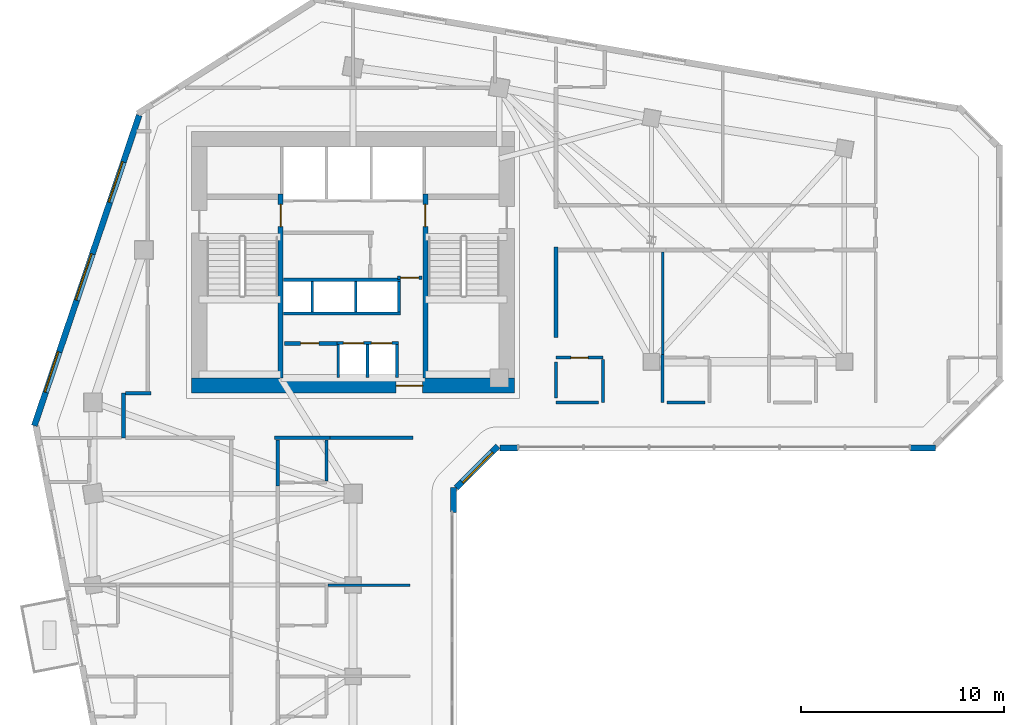
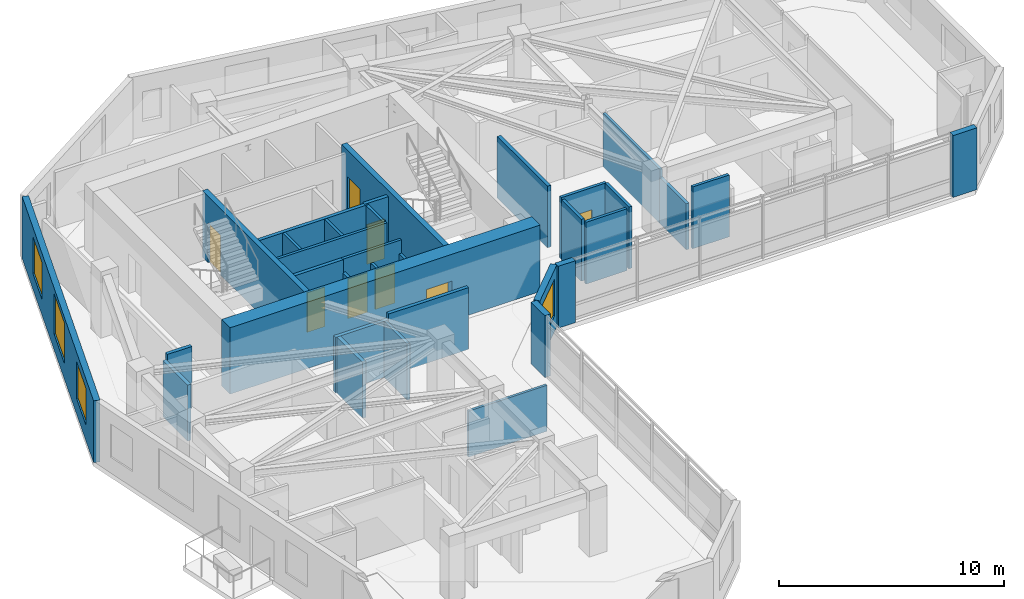
# One storey, part 6 of 12: 34 walls, 8 doors, 4 windows, 12 openings.
"""IFC4 building model written with IfcOpenShell, lengths in metres."""

from ifc_helpers import new_model, si_unit, direction, frame, frame_2d, origin, place, context, subcontext, project, spatial, rectangle, extrude, source, transform, mapped, material, layer, layer_set, type_object, element, fill, save


model = new_model("IFC4")

# Units and contexts
model_context = context("Model", 3, precision=1e-05, world=origin(), true_north=direction((0.0, 1.0)))
body_context = subcontext(model_context, "Body", "Model", "MODEL_VIEW")
ifc_project = project(units=[si_unit("LENGTHUNIT", "METRE"), si_unit("AREAUNIT", "SQUARE_METRE"), si_unit("VOLUMEUNIT", "CUBIC_METRE"), si_unit("PLANEANGLEUNIT", "RADIAN"), si_unit("MASSUNIT", "GRAM", prefix="KILO")], contexts=[model_context])

# Site, building, storey
site_placement = place(None, origin())
site = spatial("IfcSite", under=ifc_project, at=site_placement, CompositionType="ELEMENT")
building_placement = place(site_placement, origin())
building = spatial("IfcBuilding", under=site, at=building_placement, Name="Calvemar Wedge Station Tower", CompositionType="ELEMENT")
storey_placement = place(building_placement, frame((0.0, 0.0, 121.39990234375)))
storey = spatial("IfcBuildingStorey", under=building, at=storey_placement, Name="L29", CompositionType="ELEMENT", Elevation=121.39990234375)

# Wall, opening, door
ifc_material_1 = material(Name="Concrete C50", Category="concrete")
ifc_layer_1 = layer(ifc_material_1, 0.260009765625)
ifc_layer_set_1 = layer_set([ifc_layer_1], Name="Concrete C50")
wall_type_1 = type_object("IfcWallType", Name="SW-CORE-260", PredefinedType="SHEAR", material=ifc_layer_set_1)
wall_1_placement = place(storey_placement, frame((20.22998046875, 34.199951171875, 0.0), z_axis=(0.0, 0.0, 1.0), x_axis=(0.0, 1.0, 0.0)))
wall_1 = element("IfcWall", 1, at=wall_1_placement, inside=storey, type_object=wall_type_1, Name="Storey L29 Core Shear Wall SPINE-W", PredefinedType="SHEAR", context=body_context, shape_type="SweptSolid", body=[
    extrude(rectangle(XDim=9.06005859375, YDim=0.260009765625, at=frame_2d((4.530029296875, 0.0))), origin(), (0.0, 0.0, 1.0), 3.60009765625),
])
shared_shape_1 = source(origin(), body_context, "Body", "SweptSolid", [
    extrude(rectangle(XDim=1.10009765625, YDim=2.14990234375, at=frame_2d((0.550048828125, 1.074951171875))), frame((0.0, 0.14013671875, 0.0), z_axis=(0.0, -1.0, 0.0), x_axis=(1.0, 0.0, 0.0)), (0.0, 0.0, 1.0), 0.280029296875),
])
opening_1_placement = place(wall_1_placement, frame((7.449951171875, 0.0, 0.0)))
opening_1 = element("IfcOpeningElement", 2, at=opening_1_placement, cuts=wall_1, Name="Opening FD-90", PredefinedType="OPENING", context=body_context, shape_type="MappedRepresentation", body=[
    mapped(shared_shape_1, transform((0.0, 0.0, 0.0), scale=1.0)),
])
ifc_material_2 = material(Name="Galvanized fire-rated steel door leaf P-90", Category="steel")
door_type_1 = type_object("IfcDoorType", Name="DR-FD90-1100", OperationType="NOTDEFINED", PredefinedType="DOOR", material=ifc_material_2)
shared_shape_2 = source(origin(), body_context, "Body", "SweptSolid", [
    extrude(rectangle(XDim=1.10009765625, YDim=2.14990234375, at=frame_2d((0.550048828125, 1.074951171875))), frame((0.0, 0.02490234375, 0.0), z_axis=(0.0, -1.0, 0.0), x_axis=(1.0, 0.0, 0.0)), (0.0, 0.0, 1.0), 0.050048828125),
])
door_1_placement = place(opening_1_placement, origin())
door_1 = element("IfcDoor", 3, at=door_1_placement, inside=storey, type_object=door_type_1, Name="L29 FF Lobby to Stair ST-C1 Door", OperationType="SINGLE_SWING_LEFT", OverallHeight=2.14990234375, OverallWidth=1.10009765625, PredefinedType="DOOR", context=body_context, shape_type="MappedRepresentation", body=[
    mapped(shared_shape_2, transform((0.0, 0.0, 0.0), scale=1.0)),
])
fill(opening_1, door_1)

wall_2_placement = place(storey_placement, frame((27.3701171875, 34.199951171875, 0.0), z_axis=(0.0, 0.0, 1.0), x_axis=(0.0, 1.0, 0.0)))
wall_2 = element("IfcWall", 4, at=wall_2_placement, inside=storey, type_object=wall_type_1, Name="Storey L29 Core Shear Wall SPINE-E", PredefinedType="SHEAR", context=body_context, shape_type="SweptSolid", body=[
    extrude(rectangle(XDim=9.06005859375, YDim=0.260009765625, at=frame_2d((4.530029296875, 0.0))), origin(), (0.0, 0.0, 1.0), 3.60009765625),
])
opening_2_placement = place(wall_2_placement, frame((7.449951171875, 0.0, 0.0)))
opening_2 = element("IfcOpeningElement", 5, at=opening_2_placement, cuts=wall_2, Name="Opening FD-90", PredefinedType="OPENING", context=body_context, shape_type="MappedRepresentation", body=[
    mapped(shared_shape_1, transform((0.0, 0.0, 0.0), scale=1.0)),
])
door_2_placement = place(opening_2_placement, origin())
door_2 = element("IfcDoor", 6, at=door_2_placement, inside=storey, type_object=door_type_1, Name="L29 FF Lobby to Stair ST-C2 Door", OperationType="SINGLE_SWING_RIGHT", OverallHeight=2.14990234375, OverallWidth=1.10009765625, PredefinedType="DOOR", context=body_context, shape_type="MappedRepresentation", body=[
    mapped(shared_shape_2, transform((0.0, 0.0, 0.0), scale=1.0)),
])
fill(opening_2, door_2)

ifc_material_3 = material(Name="Concrete C70", Category="concrete")
ifc_layer_2 = layer(ifc_material_3, 0.75)
ifc_layer_set_2 = layer_set([ifc_layer_2], Name="Concrete C70")
wall_type_2 = type_object("IfcWallType", Name="SW-CORE-750", PredefinedType="SHEAR", material=ifc_layer_set_2)
wall_3_placement = place(storey_placement, frame((15.85009765625, 33.824951171875, 0.0), z_axis=(0.0, 0.0, 1.0), x_axis=(1.0, 0.0, 0.0)))
wall_3 = element("IfcWall", 7, at=wall_3_placement, inside=storey, type_object=wall_type_2, Name="Storey L29 Core Shear Wall S", PredefinedType="SHEAR", context=body_context, shape_type="SweptSolid", body=[
    extrude(rectangle(XDim=15.89990234375, YDim=0.75, at=frame_2d((7.949951171875, 0.0))), origin(), (0.0, 0.0, 1.0), 3.60009765625),
])
shared_shape_3 = source(origin(), body_context, "Body", "SweptSolid", [
    extrude(rectangle(XDim=1.300048828125, YDim=2.14990234375, at=frame_2d((0.64990234375, 1.074951171875))), frame((0.0, 0.385009765625, 0.0), z_axis=(0.0, -1.0, 0.0), x_axis=(1.0, 0.0, 0.0)), (0.0, 0.0, 1.0), 0.77001953125),
])
opening_3_placement = place(wall_3_placement, frame((10.080078125, 0.0, 0.0)))
opening_3 = element("IfcOpeningElement", 8, at=opening_3_placement, cuts=wall_3, Name="Opening DD-130", PredefinedType="OPENING", context=body_context, shape_type="MappedRepresentation", body=[
    mapped(shared_shape_3, transform((0.0, 0.0, 0.0), scale=1.0)),
])
ifc_material_4 = material(Name="Double-leaf lift lobby fire door EI 60")
door_type_2 = type_object("IfcDoorType", Name="DR-DBL-1300", OperationType="DOUBLE_DOOR_SINGLE_SWING", PredefinedType="DOOR", material=ifc_material_4)
shared_shape_4 = source(origin(), body_context, "Body", "SweptSolid", [
    extrude(rectangle(XDim=1.300048828125, YDim=2.14990234375, at=frame_2d((0.64990234375, 1.074951171875))), frame((0.0, 0.02490234375, 0.0), z_axis=(0.0, -1.0, 0.0), x_axis=(1.0, 0.0, 0.0)), (0.0, 0.0, 1.0), 0.050048828125),
])
door_3_placement = place(opening_3_placement, origin())
door_3 = element("IfcDoor", 9, at=door_3_placement, inside=storey, type_object=door_type_2, Name="L29 Passenger Lift Lobby Door", OperationType="DOUBLE_DOOR_SINGLE_SWING", OverallHeight=2.14990234375, OverallWidth=1.300048828125, PredefinedType="DOOR", context=body_context, shape_type="MappedRepresentation", body=[
    mapped(shared_shape_4, transform((0.0, 0.0, 0.0), scale=1.0)),
])
fill(opening_3, door_3)

ifc_material_5 = material(Name="Double-stud fire-rated corridor partition")
ifc_layer_3 = layer(ifc_material_5, 0.179931640625)
ifc_layer_set_3 = layer_set([ifc_layer_3], Name="Double-stud fire-rated corridor partition")
wall_type_3 = type_object("IfcWallType", Name="W-CORR-180", PredefinedType="PARTITIONING", material=ifc_layer_set_3)
wall_4_placement = place(storey_placement, frame((27.199951171875, 39.1298828125, 0.0), z_axis=(0.0, 0.0, 1.0), x_axis=(-1.0, 0.0, 0.0)))
wall_4 = element("IfcWall", 10, at=wall_4_placement, inside=storey, type_object=wall_type_3, Name="Storey L29 Interior Partition WL-L29-003", PredefinedType="PARTITIONING", context=body_context, shape_type="SweptSolid", body=[
    extrude(rectangle(XDim=1.2099609375, YDim=0.179931640625, at=frame_2d((0.60498046875, 0.0))), origin(), (0.0, 0.0, 1.0), 3.35009765625),
])
shared_shape_5 = source(origin(), body_context, "Body", "SweptSolid", [
    extrude(rectangle(XDim=0.89990234375, YDim=2.14990234375, at=frame_2d((0.449951171875, 1.074951171875))), frame((0.0, 0.10009765625, 0.0), z_axis=(0.0, -1.0, 0.0), x_axis=(1.0, 0.0, 0.0)), (0.0, 0.0, 1.0), 0.199951171875),
])
opening_4_placement = place(wall_4_placement, frame((0.155029296875, 0.0, 0.0)))
opening_4 = element("IfcOpeningElement", 11, at=opening_4_placement, cuts=wall_4, Name="Opening FD-60", PredefinedType="OPENING", context=body_context, shape_type="MappedRepresentation", body=[
    mapped(shared_shape_5, transform((0.0, 0.0, 0.0), scale=1.0)),
])
ifc_material_6 = material(Name="Fire-rated acoustic timber-core entrance door EI 60", Category="wood")
door_type_3 = type_object("IfcDoorType", Name="DR-FD60-900", OperationType="NOTDEFINED", PredefinedType="DOOR", material=ifc_material_6)
shared_shape_6 = source(origin(), body_context, "Body", "SweptSolid", [
    extrude(rectangle(XDim=0.89990234375, YDim=2.14990234375, at=frame_2d((0.449951171875, 1.074951171875))), frame((0.0, 0.02490234375, 0.0), z_axis=(0.0, -1.0, 0.0), x_axis=(1.0, 0.0, 0.0)), (0.0, 0.0, 1.0), 0.050048828125),
])
door_4_placement = place(opening_4_placement, origin())
door_4 = element("IfcDoor", 12, at=door_4_placement, inside=storey, type_object=door_type_3, Name="L29 Core Service Lobby Door", OperationType="SINGLE_SWING_RIGHT", OverallHeight=2.14990234375, OverallWidth=0.89990234375, PredefinedType="DOOR", context=body_context, shape_type="MappedRepresentation", body=[
    mapped(shared_shape_6, transform((0.0, 0.0, 0.0), scale=1.0)),
])
fill(opening_4, door_4)

wall_5_placement = place(storey_placement, frame((20.419921875, 35.89990234375, 0.0), z_axis=(0.0, 0.0, 1.0), x_axis=(1.0, 0.0, 0.0)))
wall_5 = element("IfcWall", 13, at=wall_5_placement, inside=storey, type_object=wall_type_3, Name="Storey L29 Interior Partition WL-L29-004", PredefinedType="PARTITIONING", context=body_context, shape_type="SweptSolid", body=[
    extrude(rectangle(XDim=2.6201171875, YDim=0.179931640625, at=frame_2d((1.31005859375, 0.0))), origin(), (0.0, 0.0, 1.0), 3.35009765625),
])
opening_5_placement = place(wall_5_placement, frame((0.795654296875, 0.0, 0.0)))
opening_5 = element("IfcOpeningElement", 14, at=opening_5_placement, cuts=wall_5, Name="Opening FD-60", PredefinedType="OPENING", context=body_context, shape_type="MappedRepresentation", body=[
    mapped(shared_shape_5, transform((0.0, 0.0, 0.0), scale=1.0)),
])
door_5_placement = place(opening_5_placement, origin())
door_5 = element("IfcDoor", 15, at=door_5_placement, inside=storey, type_object=door_type_3, Name="L29 Housekeeping Store Door", OperationType="SINGLE_SWING_LEFT", OverallHeight=2.14990234375, OverallWidth=0.89990234375, PredefinedType="DOOR", context=body_context, shape_type="MappedRepresentation", body=[
    mapped(shared_shape_6, transform((0.0, 0.0, 0.0), scale=1.0)),
])
fill(opening_5, door_5)

# Walls
wall_6_placement = place(storey_placement, frame((12.5, 31.25, 0.0), z_axis=(0.0, 0.0, 1.0), x_axis=(0.0, 1.0, 0.0)))
element("IfcWall", 16, at=wall_6_placement, inside=storey, type_object=wall_type_3, Name="Storey L29 Interior Partition WL-L29-005", PredefinedType="PARTITIONING", context=body_context, shape_type="SweptSolid", body=[
    extrude(rectangle(XDim=2.199951171875, YDim=0.179931640625, at=frame_2d((1.10009765625, 0.0))), origin(), (0.0, 0.0, 1.0), 3.0341796875),
])
wall_7_placement = place(storey_placement, frame((12.593994140625, 33.449951171875, 0.0), z_axis=(0.0, 0.0, 1.0), x_axis=(1.0, 0.0, 0.0)))
element("IfcWall", 17, at=wall_7_placement, inside=storey, type_object=wall_type_3, Name="Storey L29 Interior Partition WL-L29-006", PredefinedType="PARTITIONING", context=body_context, shape_type="SweptSolid", body=[
    extrude(rectangle(XDim=1.26611328125, YDim=0.179931640625, at=frame_2d((0.633056640625, 0.0))), origin(), (0.0, 0.0, 1.0), 3.35009765625),
])
wall_8_placement = place(storey_placement, frame((22.659912109375, 31.25, 0.0), z_axis=(0.0, 0.0, 1.0), x_axis=(-1.0, 0.0, 0.0)))
element("IfcWall", 18, at=wall_8_placement, inside=storey, type_object=wall_type_3, Name="Storey L29 Interior Partition WL-L29-008", PredefinedType="PARTITIONING", context=body_context, shape_type="SweptSolid", body=[
    extrude(rectangle(XDim=2.719970703125, YDim=0.179931640625, at=frame_2d((1.35986328125, 0.0))), origin(), (0.0, 0.0, 1.0), 3.0341796875),
])
wall_9_placement = place(storey_placement, frame((26.760009765625, 31.25, 0.0), z_axis=(0.0, 0.0, 1.0), x_axis=(-1.0, 0.0, 0.0)))
element("IfcWall", 19, at=wall_9_placement, inside=storey, type_object=wall_type_3, Name="Storey L29 Interior Partition WL-L29-009", PredefinedType="PARTITIONING", context=body_context, shape_type="SweptSolid", body=[
    extrude(rectangle(XDim=4.097900390625, YDim=0.179931640625, at=frame_2d((2.048828125, 0.0))), origin(), (0.0, 0.0, 1.0), 3.35009765625),
])
wall_10_placement = place(storey_placement, frame((33.800048828125, 40.659912109375, 0.0), z_axis=(0.0, 0.0, 1.0), x_axis=(0.0, -1.0, 0.0)))
element("IfcWall", 20, at=wall_10_placement, inside=storey, type_object=wall_type_3, Name="Storey L29 Interior Partition WL-L29-015", PredefinedType="PARTITIONING", context=body_context, shape_type="SweptSolid", body=[
    extrude(rectangle(XDim=4.4599609375, YDim=0.179931640625, at=frame_2d((2.22998046875, 0.0))), origin(), (0.0, 0.0, 1.0), 3.35009765625),
])
wall_11_placement = place(storey_placement, frame((20.10009765625, 31.156005859375, 0.0), z_axis=(0.0, 0.0, 1.0), x_axis=(0.0, -1.0, 0.0)))
element("IfcWall", 21, at=wall_11_placement, inside=storey, type_object=wall_type_3, Name="Storey L29 Interior Partition WL-L29-050", PredefinedType="PARTITIONING", context=body_context, shape_type="SweptSolid", body=[
    extrude(rectangle(XDim=2.26611328125, YDim=0.179931640625, at=frame_2d((1.133056640625, 0.0))), origin(), (0.0, 0.0, 1.0), 3.0341796875),
])
ifc_material_7 = material(Name="Precast concrete C45", Category="concrete")
ifc_layer_4 = layer(ifc_material_7, 0.300048828125)
ifc_layer_set_4 = layer_set([ifc_layer_4], Name="Precast concrete C45")
wall_type_4 = type_object("IfcWallType", Name="W-EXT-GFRC-300", PredefinedType="SOLIDWALL", material=ifc_layer_set_4)
wall_12_placement = place(storey_placement, frame((28.74609375, 27.57666015625, 0.0), z_axis=(0.0, 0.0, 1.0), x_axis=(0.0, 1.0, 0.0)))
element("IfcWall", 22, at=wall_12_placement, inside=storey, type_object=wall_type_4, Name="Storey L29 Bronze GFRC Corner Pier 4B", PredefinedType="SOLIDWALL", context=body_context, shape_type="SweptSolid", body=[
    extrude(rectangle(XDim=1.2275390625, YDim=0.300048828125, at=frame_2d((0.61376953125, 0.0))), origin(), (0.0, 0.0, 1.0), 3.35009765625),
])

# Wall, opening, window
wall_13_placement = place(storey_placement, frame((28.884033203125, 28.7919921875, 0.0), z_axis=(0.0, 0.0, 1.0), x_axis=(0.707064797706, 0.707148762175, 0.0)))
wall_13 = element("IfcWall", 23, at=wall_13_placement, inside=storey, type_object=wall_type_4, Name="Storey L29 Bronze GFRC Exterior Wall 5", PredefinedType="SOLIDWALL", context=body_context, shape_type="SweptSolid", body=[
    extrude(rectangle(XDim=2.90771484375, YDim=0.300048828125, at=frame_2d((1.453857421875, 0.0))), origin(), (0.0, 0.0, 1.0), 3.35009765625),
])
shared_shape_7 = source(origin(), body_context, "Body", "SweptSolid", [
    extrude(rectangle(XDim=2.10009765625, YDim=2.0, at=frame_2d((1.050048828125, 1.0))), frame((0.0, 0.16015625, 0.0), z_axis=(0.0, -1.0, 0.0), x_axis=(1.0, 0.0, 0.0)), (0.0, 0.0, 1.0), 0.320068359375),
])
opening_6_placement = place(wall_13_placement, frame((0.404052734375, 0.0, 0.85009765625)))
opening_6 = element("IfcOpeningElement", 24, at=opening_6_placement, cuts=wall_13, Name="Opening W4", PredefinedType="OPENING", context=body_context, shape_type="MappedRepresentation", body=[
    mapped(shared_shape_7, transform((0.0, 0.0, 0.0), scale=1.0)),
])
ifc_material_8 = material(Name="Low-E laminated insulated glass", Category="glass")
window_type_1 = type_object("IfcWindowType", Name="WIN-EXT-4", PartitioningType="SINGLE_PANEL", PredefinedType="WINDOW", material=ifc_material_8)
shared_shape_8 = source(origin(), body_context, "Body", "SweptSolid", [
    extrude(rectangle(XDim=2.10009765625, YDim=2.0, at=frame_2d((1.050048828125, 1.0))), frame((0.0, -0.014892578125, 0.0), z_axis=(0.0, -1.0, 0.0), x_axis=(1.0, 0.0, 0.0)), (0.0, 0.0, 1.0), 0.06005859375),
])
window_1_placement = place(opening_6_placement, origin())
window_1 = element("IfcWindow", 25, at=window_1_placement, inside=storey, type_object=window_type_1, Name="Storey L29 Recessed Window 5.1", OverallHeight=2.0, OverallWidth=2.10009765625, PartitioningType="SINGLE_PANEL", PredefinedType="WINDOW", context=body_context, shape_type="MappedRepresentation", body=[
    mapped(shared_shape_8, transform((0.0, 0.0, 0.0), scale=1.0)),
])
fill(opening_6, window_1)

# Walls
wall_14_placement = place(storey_placement, frame((31.029052734375, 30.741943359375, 0.0), z_axis=(0.0, 0.0, 1.0), x_axis=(1.0, 0.0, 0.0)))
element("IfcWall", 26, at=wall_14_placement, inside=storey, type_object=wall_type_4, Name="Storey L29 Bronze GFRC Corner Pier 6A", PredefinedType="SOLIDWALL", context=body_context, shape_type="SweptSolid", body=[
    extrude(rectangle(XDim=0.88232421875, YDim=0.300048828125, at=frame_2d((0.441162109375, 0.0))), origin(), (0.0, 0.0, 1.0), 3.35009765625),
])
wall_15_placement = place(storey_placement, frame((51.260498046875, 30.741943359375, 0.0), z_axis=(0.0, 0.0, 1.0), x_axis=(1.0, 0.0, 0.0)))
element("IfcWall", 27, at=wall_15_placement, inside=storey, type_object=wall_type_4, Name="Storey L29 Bronze GFRC Corner Pier 6B", PredefinedType="SOLIDWALL", context=body_context, shape_type="SweptSolid", body=[
    extrude(rectangle(XDim=1.227294921875, YDim=0.300048828125, at=frame_2d((0.61376953125, 0.0))), origin(), (0.0, 0.0, 1.0), 3.35009765625),
])

# Wall, openings, windows
wall_16_placement = place(storey_placement, frame((13.2685546875, 47.1337890625, 0.0), z_axis=(0.0, 0.0, 1.0), x_axis=(-0.319929596295, -0.947441319246, 0.0)))
wall_16 = element("IfcWall", 28, at=wall_16_placement, inside=storey, type_object=wall_type_4, Name="Storey L29 Bronze GFRC Exterior Wall 12", PredefinedType="SOLIDWALL", context=body_context, shape_type="SweptSolid", body=[
    extrude(rectangle(XDim=16.13427734375, YDim=0.300048828125, at=frame_2d((8.067138671875, 0.0))), origin(), (0.0, 0.0, 1.0), 3.35009765625),
])
opening_7_placement = place(wall_16_placement, frame((2.426025390625, 0.0, 0.85009765625)))
opening_7 = element("IfcOpeningElement", 29, at=opening_7_placement, cuts=wall_16, Name="Opening W4", PredefinedType="OPENING", context=body_context, shape_type="MappedRepresentation", body=[
    mapped(shared_shape_7, transform((0.0, 0.0, 0.0), scale=1.0)),
])
shared_shape_9 = source(origin(), body_context, "Body", "SweptSolid", [
    extrude(rectangle(XDim=2.39990234375, YDim=2.199951171875, at=frame_2d((1.199951171875, 1.10009765625))), frame((0.0, 0.16015625, 0.0), z_axis=(0.0, -1.0, 0.0), x_axis=(1.0, 0.0, 0.0)), (0.0, 0.0, 1.0), 0.320068359375),
])
opening_8_placement = place(wall_16_placement, frame((7.2109375, 0.0, 0.85009765625)))
opening_8 = element("IfcOpeningElement", 30, at=opening_8_placement, cuts=wall_16, Name="Opening W1", PredefinedType="OPENING", context=body_context, shape_type="MappedRepresentation", body=[
    mapped(shared_shape_9, transform((0.0, 0.0, 0.0), scale=1.0)),
])
opening_9_placement = place(wall_16_placement, frame((12.297119140625, 0.0, 0.85009765625)))
opening_9 = element("IfcOpeningElement", 31, at=opening_9_placement, cuts=wall_16, Name="Opening W4", PredefinedType="OPENING", context=body_context, shape_type="MappedRepresentation", body=[
    mapped(shared_shape_7, transform((0.0, 0.0, 0.0), scale=1.0)),
])
window_2_placement = place(opening_7_placement, origin())
window_2 = element("IfcWindow", 32, at=window_2_placement, inside=storey, type_object=window_type_1, Name="Storey L29 Recessed Window 12.1", OverallHeight=2.0, OverallWidth=2.10009765625, PartitioningType="SINGLE_PANEL", PredefinedType="WINDOW", context=body_context, shape_type="MappedRepresentation", body=[
    mapped(shared_shape_8, transform((0.0, 0.0, 0.0), scale=1.0)),
])
fill(opening_7, window_2)
window_3_placement = place(opening_9_placement, origin())
window_3 = element("IfcWindow", 33, at=window_3_placement, inside=storey, type_object=window_type_1, Name="Storey L29 Recessed Window 12.3", OverallHeight=2.0, OverallWidth=2.10009765625, PartitioningType="SINGLE_PANEL", PredefinedType="WINDOW", context=body_context, shape_type="MappedRepresentation", body=[
    mapped(shared_shape_8, transform((0.0, 0.0, 0.0), scale=1.0)),
])
fill(opening_9, window_3)
window_type_2 = type_object("IfcWindowType", Name="WIN-EXT-1", PartitioningType="SINGLE_PANEL", PredefinedType="WINDOW", material=ifc_material_8)
shared_shape_10 = source(origin(), body_context, "Body", "SweptSolid", [
    extrude(rectangle(XDim=2.39990234375, YDim=2.199951171875, at=frame_2d((1.199951171875, 1.10009765625))), frame((0.0, -0.014892578125, 0.0), z_axis=(0.0, -1.0, 0.0), x_axis=(1.0, 0.0, 0.0)), (0.0, 0.0, 1.0), 0.06005859375),
])
window_4_placement = place(opening_8_placement, origin())
window_4 = element("IfcWindow", 34, at=window_4_placement, inside=storey, type_object=window_type_2, Name="Storey L29 Recessed Window 12.2", OverallHeight=2.199951171875, OverallWidth=2.39990234375, PartitioningType="SINGLE_PANEL", PredefinedType="WINDOW", context=body_context, shape_type="MappedRepresentation", body=[
    mapped(shared_shape_10, transform((0.0, 0.0, 0.0), scale=1.0)),
])
fill(opening_8, window_4)

# Wall, openings, doors
ifc_material_9 = material(Name="Reinforced concrete blockwork lift shaft wall", Category="masonry")
ifc_layer_5 = layer(ifc_material_9, 0.139892578125)
ifc_layer_set_5 = layer_set([ifc_layer_5], Name="Reinforced concrete blockwork lift shaft wall")
wall_type_5 = type_object("IfcWallType", Name="W-LIFT-160", PredefinedType="SOLIDWALL", material=ifc_layer_set_5)
wall_17_placement = place(storey_placement, frame((23.0, 35.919921875, 0.0), z_axis=(0.0, 0.0, 1.0), x_axis=(1.0, 0.0, 0.0)))
wall_17 = element("IfcWall", 35, at=wall_17_placement, inside=storey, type_object=wall_type_5, Name="Storey L29 South Passenger Lift Bank Front Wall", PredefinedType="SOLIDWALL", context=body_context, shape_type="SweptSolid", body=[
    extrude(rectangle(XDim=3.030029296875, YDim=0.139892578125, at=frame_2d((1.51513671875, 0.0))), origin(), (0.0, 0.0, 1.0), 3.35009765625),
])
shared_shape_11 = source(origin(), body_context, "Body", "SweptSolid", [
    extrude(rectangle(XDim=1.0, YDim=2.14990234375, at=frame_2d((0.5, 1.074951171875))), frame((0.0, 0.080078125, 0.0), z_axis=(0.0, -1.0, 0.0), x_axis=(1.0, 0.0, 0.0)), (0.0, 0.0, 1.0), 0.159912109375),
])
opening_10_placement = place(wall_17_placement, frame((0.320068359375, 0.0, 0.0)))
opening_10 = element("IfcOpeningElement", 36, at=opening_10_placement, cuts=wall_17, Name="Opening LD-PAX", PredefinedType="OPENING", context=body_context, shape_type="MappedRepresentation", body=[
    mapped(shared_shape_11, transform((0.0, 0.0, 0.0), scale=1.0)),
])
opening_11_placement = place(wall_17_placement, frame((1.7099609375, 0.0, 0.0)))
opening_11 = element("IfcOpeningElement", 37, at=opening_11_placement, cuts=wall_17, Name="Opening LD-PAX", PredefinedType="OPENING", context=body_context, shape_type="MappedRepresentation", body=[
    mapped(shared_shape_11, transform((0.0, 0.0, 0.0), scale=1.0)),
])
ifc_material_10 = material(Name="Anodised bronze passenger lift sliding landing door")
door_type_4 = type_object("IfcDoorType", Name="DR-LD-PAX-1000", OperationType="SLIDING_TO_LEFT", PredefinedType="DOOR", material=ifc_material_10)
shared_shape_12 = source(origin(), body_context, "Body", "SweptSolid", [
    extrude(rectangle(XDim=1.0, YDim=2.14990234375, at=frame_2d((0.5, 1.074951171875))), frame((0.0, 0.02490234375, 0.0), z_axis=(0.0, -1.0, 0.0), x_axis=(1.0, 0.0, 0.0)), (0.0, 0.0, 1.0), 0.050048828125),
])
door_6_placement = place(opening_10_placement, origin())
door_6 = element("IfcDoor", 38, at=door_6_placement, inside=storey, type_object=door_type_4, Name="L29 Lift HL-01 Sliding Landing Door", OperationType="SLIDING_TO_LEFT", OverallHeight=2.14990234375, OverallWidth=1.0, PredefinedType="DOOR", context=body_context, shape_type="MappedRepresentation", body=[
    mapped(shared_shape_12, transform((0.0, 0.0, 0.0), scale=1.0)),
])
fill(opening_10, door_6)
door_7_placement = place(opening_11_placement, origin())
door_7 = element("IfcDoor", 39, at=door_7_placement, inside=storey, type_object=door_type_4, Name="L29 Lift HL-02 Sliding Landing Door", OperationType="SLIDING_TO_RIGHT", OverallHeight=2.14990234375, OverallWidth=1.0, PredefinedType="DOOR", context=body_context, shape_type="MappedRepresentation", body=[
    mapped(shared_shape_12, transform((0.0, 0.0, 0.0), scale=1.0)),
])
fill(opening_11, door_7)

# Walls
for number, where, z_axis, x_axis, name in (
    (40, (25.9599609375, 34.219970703125, 0.0), (0.0, 0.0, 1.0), (0.0, 1.0, 0.0), "Storey L29 South Passenger Lift Shaft Wall E"),
    (41, (23.070068359375, 34.219970703125, 0.0), (0.0, 0.0, 1.0), (0.0, 1.0, 0.0), "Storey L29 South Passenger Lift Shaft Wall W"),
    (42, (24.514892578125, 34.219970703125, 0.0), (0.0, 0.0, 1.0), (0.0, 1.0, 0.0), "Storey L29 South Passenger Lift Shaft Wall D1"),
):
    element("IfcWall", number, at=place(storey_placement, frame(where, z_axis=z_axis, x_axis=x_axis)), inside=storey, type_object=wall_type_5, Name=name, PredefinedType="SOLIDWALL", context=body_context, shape_type="SweptSolid", body=[
        extrude(rectangle(XDim=1.6201171875, YDim=0.139892578125, at=frame_2d((0.81005859375, 0.0))), origin(), (0.0, 0.0, 1.0), 2.64208984375),
    ])
wall_18_placement = place(storey_placement, frame((20.3798828125, 37.3798828125, 0.0), z_axis=(0.0, 0.0, 1.0), x_axis=(1.0, 0.0, 0.0)))
element("IfcWall", 43, at=wall_18_placement, inside=storey, type_object=wall_type_5, Name="Storey L29 Upper Passenger Lift Bank Front Wall", PredefinedType="SOLIDWALL", context=body_context, shape_type="SweptSolid", body=[
    extrude(rectangle(XDim=5.75, YDim=0.139892578125, at=frame_2d((2.875, 0.0))), origin(), (0.0, 0.0, 1.0), 3.35009765625),
])
for number, where, z_axis, x_axis, name in (
    (44, (26.06005859375, 37.4599609375, 0.0), (0.0, 0.0, 1.0), (0.0, 1.0, 0.0), "Storey L29 Upper Passenger Lift Shaft Wall E"),
    (45, (21.794921875, 37.4599609375, 0.0), (0.0, 0.0, 1.0), (0.0, 1.0, 0.0), "Storey L29 Upper Passenger Lift Shaft Wall D1"),
    (46, (23.93505859375, 37.4599609375, 0.0), (0.0, 0.0, 1.0), (0.0, 1.0, 0.0), "Storey L29 Upper Passenger Lift Shaft Wall D2"),
):
    element("IfcWall", number, at=place(storey_placement, frame(where, z_axis=z_axis, x_axis=x_axis)), inside=storey, type_object=wall_type_5, Name=name, PredefinedType="SOLIDWALL", context=body_context, shape_type="SweptSolid", body=[
        extrude(rectangle(XDim=1.47998046875, YDim=0.139892578125, at=frame_2d((0.739990234375, 0.0))), origin(), (0.0, 0.0, 1.0), 3.35009765625),
    ])
ifc_material_11 = material(Name="Insulated acoustic gypsum stud partition")
ifc_layer_6 = layer(ifc_material_11, 0.125)
ifc_layer_set_6 = layer_set([ifc_layer_6], Name="Insulated acoustic gypsum stud partition")
wall_type_6 = type_object("IfcWallType", Name="W-PART-125", PredefinedType="PARTITIONING", material=ifc_layer_set_6)
wall_19_placement = place(storey_placement, frame((39.044921875, 40.406005859375, 0.0), z_axis=(0.0, 0.0, 1.0), x_axis=(0.0, -1.0, 0.0)))
element("IfcWall", 47, at=wall_19_placement, inside=storey, type_object=wall_type_6, Name="Storey L29 Interior Partition WL-L29-029", PredefinedType="PARTITIONING", context=body_context, shape_type="SweptSolid", body=[
    extrude(rectangle(XDim=5.0439453125, YDim=0.125, at=frame_2d((2.52197265625, 0.0))), origin(), (0.0, 0.0, 1.0), 2.922119140625),
])
wall_20_placement = place(storey_placement, frame((22.5791015625, 24.0, 0.0), z_axis=(0.0, 0.0, 1.0), x_axis=(1.0, 0.0, 0.0)))
element("IfcWall", 48, at=wall_20_placement, inside=storey, type_object=wall_type_6, Name="Storey L29 Interior Partition WL-L29-067", PredefinedType="PARTITIONING", context=body_context, shape_type="SweptSolid", body=[
    extrude(rectangle(XDim=4.02099609375, YDim=0.125, at=frame_2d((2.010498046875, 0.0))), origin(), (0.0, 0.0, 1.0), 2.4921875),
])
ifc_material_12 = material(Name="Concrete blockwork and fireboard shaft wall", Category="masonry")
ifc_layer_7 = layer(ifc_material_12, 0.199951171875)
ifc_layer_set_7 = layer_set([ifc_layer_7], Name="Concrete blockwork and fireboard shaft wall")
wall_type_7 = type_object("IfcWallType", Name="W-SHAFT-200", PredefinedType="SOLIDWALL", material=ifc_layer_set_7)
wall_21_placement = place(storey_placement, frame((20.3798828125, 39.0400390625, 0.0), z_axis=(0.0, 0.0, 1.0), x_axis=(1.0, 0.0, 0.0)))
element("IfcWall", 49, at=wall_21_placement, inside=storey, type_object=wall_type_7, Name="Storey L29 Upper Passenger Lift Bank Rear Shaft Wall", PredefinedType="SOLIDWALL", context=body_context, shape_type="SweptSolid", body=[
    extrude(rectangle(XDim=5.75, YDim=0.179931640625, at=frame_2d((2.875, 0.0))), origin(), (0.0, 0.0, 1.0), 3.35009765625),
])

# Wall, opening, door
ifc_material_13 = material(Name="Moisture-resistant acoustic bathroom partition")
ifc_layer_8 = layer(ifc_material_13, 0.14990234375)
ifc_layer_set_8 = layer_set([ifc_layer_8], Name="Moisture-resistant acoustic bathroom partition")
wall_type_8 = type_object("IfcWallType", Name="W-WET-150", PredefinedType="PARTITIONING", material=ifc_layer_set_8)
wall_22_placement = place(storey_placement, frame((33.800048828125, 35.199951171875, 0.0), z_axis=(0.0, 0.0, 1.0), x_axis=(1.0, 0.0, 0.0)))
wall_22 = element("IfcWall", 50, at=wall_22_placement, inside=storey, type_object=wall_type_8, Name="Storey L29 Interior Partition WL-L29-026", PredefinedType="PARTITIONING", context=body_context, shape_type="SweptSolid", body=[
    extrude(rectangle(XDim=2.307861328125, YDim=0.14990234375, at=frame_2d((1.15380859375, 0.0))), origin(), (0.0, 0.0, 1.0), 3.35009765625),
])
shared_shape_13 = source(origin(), body_context, "Body", "SweptSolid", [
    extrude(rectangle(XDim=0.85009765625, YDim=2.14990234375, at=frame_2d((0.425048828125, 1.074951171875))), frame((0.0, 0.0849609375, 0.0), z_axis=(0.0, -1.0, 0.0), x_axis=(1.0, 0.0, 0.0)), (0.0, 0.0, 1.0), 0.169921875),
])
opening_12_placement = place(wall_22_placement, frame((0.72900390625, 0.0, 0.0)))
opening_12 = element("IfcOpeningElement", 51, at=opening_12_placement, cuts=wall_22, Name="Opening D-02", PredefinedType="OPENING", context=body_context, shape_type="MappedRepresentation", body=[
    mapped(shared_shape_13, transform((0.0, 0.0, 0.0), scale=1.0)),
])
ifc_material_14 = material(Name="Moisture-sealed bathroom hardwood swing door", Category="wood")
door_type_5 = type_object("IfcDoorType", Name="DR-WET-850", OperationType="NOTDEFINED", PredefinedType="DOOR", material=ifc_material_14)
shared_shape_14 = source(origin(), body_context, "Body", "SweptSolid", [
    extrude(rectangle(XDim=0.85009765625, YDim=2.14990234375, at=frame_2d((0.425048828125, 1.074951171875))), frame((0.0, 0.02490234375, 0.0), z_axis=(0.0, -1.0, 0.0), x_axis=(1.0, 0.0, 0.0)), (0.0, 0.0, 1.0), 0.050048828125),
])
door_8_placement = place(opening_12_placement, origin())
door_8 = element("IfcDoor", 52, at=door_8_placement, inside=storey, type_object=door_type_5, Name="L29 En-Suite Bathroom Door", OperationType="SINGLE_SWING_LEFT", OverallHeight=2.14990234375, OverallWidth=0.85009765625, PredefinedType="DOOR", context=body_context, shape_type="MappedRepresentation", body=[
    mapped(shared_shape_14, transform((0.0, 0.0, 0.0), scale=1.0)),
])
fill(opening_12, door_8)

# Walls
wall_23_placement = place(storey_placement, frame((36.10791015625, 35.12109375, 0.0), z_axis=(0.0, 0.0, 1.0), x_axis=(0.0, -1.0, 0.0)))
element("IfcWall", 53, at=wall_23_placement, inside=storey, type_object=wall_type_8, Name="Storey L29 Interior Partition WL-L29-027", PredefinedType="PARTITIONING", context=body_context, shape_type="SweptSolid", body=[
    extrude(rectangle(XDim=2.12109375, YDim=0.14990234375, at=frame_2d((1.060546875, 0.0))), origin(), (0.0, 0.0, 1.0), 3.35009765625),
])
wall_24_placement = place(storey_placement, frame((39.044921875, 35.360107421875, 0.0), z_axis=(0.0, 0.0, 1.0), x_axis=(0.0, -1.0, 0.0)))
element("IfcWall", 54, at=wall_24_placement, inside=storey, type_object=wall_type_8, Name="Storey L29 Interior Partition WL-L29-028", PredefinedType="PARTITIONING", context=body_context, shape_type="SweptSolid", body=[
    extrude(rectangle(XDim=2.360107421875, YDim=0.14990234375, at=frame_2d((1.18017578125, 0.0))), origin(), (0.0, 0.0, 1.0), 2.4921875),
])
wall_25_placement = place(storey_placement, frame((22.5, 31.156005859375, 0.0), z_axis=(0.0, 0.0, 1.0), x_axis=(0.0, -1.0, 0.0)))
element("IfcWall", 55, at=wall_25_placement, inside=storey, type_object=wall_type_8, Name="Storey L29 Interior Partition WL-L29-071", PredefinedType="PARTITIONING", context=body_context, shape_type="SweptSolid", body=[
    extrude(rectangle(XDim=2.027099609375, YDim=0.14990234375, at=frame_2d((1.013671875, 0.0))), origin(), (0.0, 0.0, 1.0), 3.0341796875),
])
wall_26_placement = place(storey_placement, frame((35.887939453125, 33.0, 0.0), z_axis=(0.0, 0.0, 1.0), x_axis=(-1.0, 0.0, 0.0)))
element("IfcWall", 56, at=wall_26_placement, inside=storey, type_object=wall_type_8, Name="Storey L29 Bathroom Enclosure Wall WL-L29-073", PredefinedType="PARTITIONING", context=body_context, shape_type="SweptSolid", body=[
    extrude(rectangle(XDim=2.087890625, YDim=0.14990234375, at=frame_2d((1.0439453125, 0.0))), origin(), (0.0, 0.0, 1.0), 3.35009765625),
])
wall_27_placement = place(storey_placement, frame((33.800048828125, 33.219970703125, 0.0), z_axis=(0.0, 0.0, 1.0), x_axis=(0.0, 1.0, 0.0)))
element("IfcWall", 57, at=wall_27_placement, inside=storey, type_object=wall_type_8, Name="Storey L29 Bathroom Enclosure Wall WL-L29-074", PredefinedType="PARTITIONING", context=body_context, shape_type="SweptSolid", body=[
    extrude(rectangle(XDim=1.760009765625, YDim=0.14990234375, at=frame_2d((0.8798828125, 0.0))), origin(), (0.0, 0.0, 1.0), 3.35009765625),
])
wall_28_placement = place(storey_placement, frame((41.133056640625, 33.0, 0.0), z_axis=(0.0, 0.0, 1.0), x_axis=(-1.0, 0.0, 0.0)))
element("IfcWall", 58, at=wall_28_placement, inside=storey, type_object=wall_type_8, Name="Storey L29 Bathroom Enclosure Wall WL-L29-075", PredefinedType="PARTITIONING", context=body_context, shape_type="SweptSolid", body=[
    extrude(rectangle(XDim=1.8681640625, YDim=0.14990234375, at=frame_2d((0.93408203125, 0.0))), origin(), (0.0, 0.0, 1.0), 3.35009765625),
])

save(model, "model.ifc")
